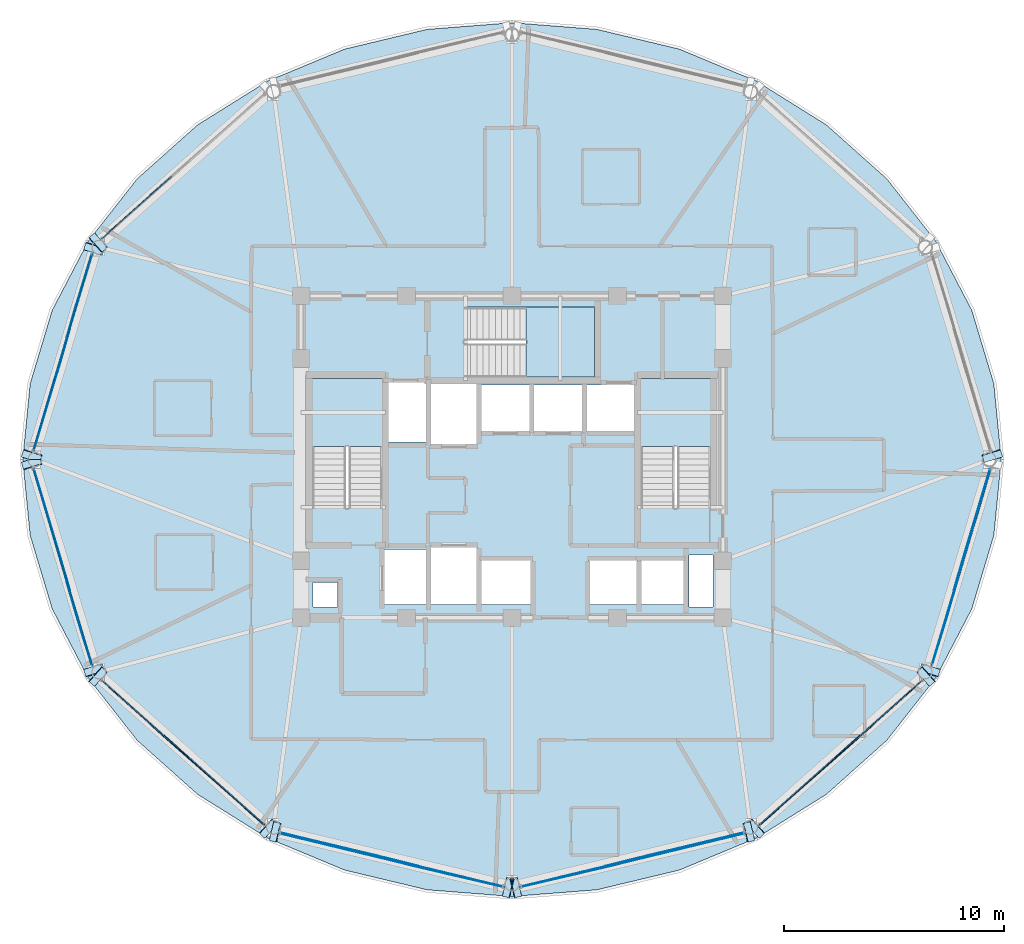
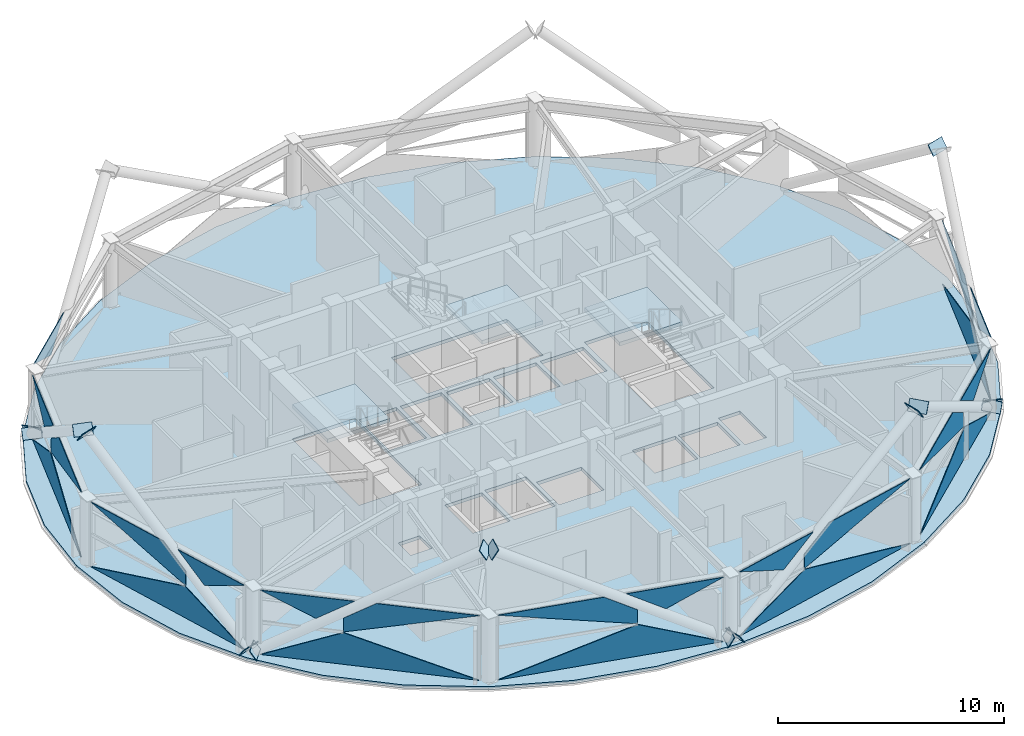
# One storey, part 20 of 29: 37 plates, 4 slabs, 11 elements without a shape of their own.
"""IFC4 building model written with IfcOpenShell, lengths in metres."""

from ifc_helpers import new_model, si_unit, direction, frame, origin, place, context, subcontext, project, spatial, polyline, outline, extrude, material, layer, layer_set, type_object, element, aggregate, save


model = new_model("IFC4")

# Units and contexts
model_context = context("Model", 3, precision=1e-05, world=origin(), true_north=direction((0.0, 1.0)))
body_context = subcontext(model_context, "Body", "Model", "MODEL_VIEW")
ifc_project = project(units=[si_unit("LENGTHUNIT", "METRE"), si_unit("AREAUNIT", "SQUARE_METRE"), si_unit("VOLUMEUNIT", "CUBIC_METRE"), si_unit("PLANEANGLEUNIT", "RADIAN"), si_unit("MASSUNIT", "GRAM", prefix="KILO")], contexts=[model_context])

# Site, building, storey
site_placement = place(None, origin())
site = spatial("IfcSite", under=ifc_project, at=site_placement, CompositionType="ELEMENT")
building_placement = place(site_placement, origin())
building = spatial("IfcBuilding", under=site, at=building_placement, Name="Vantalir Tower", CompositionType="ELEMENT")
storey_placement = place(building_placement, frame((0.0, 0.0, 234.89990234375)))
storey = spatial("IfcBuildingStorey", under=building, at=storey_placement, Name="L59", CompositionType="ELEMENT", Elevation=234.89990234375)

# Curtain wall, plate
ifc_material_1 = material(Name="Champagne-silver PVDF aluminium and double-silver Low-E glass", Category="aluminium")
ifc_layer_1 = layer(ifc_material_1, 0.2099609375)
ifc_layer_set_1 = layer_set([ifc_layer_1], Name="Champagne-silver PVDF aluminium and double-silver Low-E glass")
curtain_wall_type = type_object("IfcCurtainWallType", Name="CW-DIAMOND-Z3", PredefinedType="USERDEFINED", material=ifc_layer_set_1)
curtain_wall_1_placement = place(storey_placement, origin())
curtain_wall_1 = element("IfcCurtainWall", 1, at=curtain_wall_1_placement, inside=storey, type_object=curtain_wall_type, Name="L59 Quilted Pyramid-Diamond Curtain Wall S05", ObjectType="UNITISED CURTAIN WALL", PredefinedType="USERDEFINED")
ifc_material_2 = material(Name="Double-silver Low-E acoustic glass IGU", Category="glass")
ifc_layer_2 = layer(ifc_material_2, 0.031982421875)
ifc_layer_set_2 = layer_set([ifc_layer_2], Name="Double-silver Low-E acoustic glass IGU")
plate_type_1 = type_object("IfcPlateType", Name="CWP-IGU-32", PredefinedType="CURTAIN_PANEL", material=ifc_layer_set_2)
plate_1_placement = place(storey_placement, frame((15.9892578125, 37.89453125, 3.52392578125), z_axis=(-0.665239994323, 0.746503102219, 0.013742937474), x_axis=(-0.746574132311, -0.665302233316, -5.7517268e-05)))
plate_1 = element("IfcPlate", 2, at=plate_1_placement, type_object=plate_type_1, Name="CW-L59-S05 Pyramid Diamond Facet 2U Infill Light", PredefinedType="CURTAIN_PANEL", context=body_context, shape_type="SweptSolid", body=[
    extrude(outline(polyline([(0.0, 0.0), (4.2446492255091055, -6.1257422745431e-18), (1.731209510649857, -1.1540621498856483), (0.0, 0.0)])), origin(), (0.0, 0.0, -1.0), 0.031982421875),
])
aggregate(curtain_wall_1, [plate_1])

# Curtain wall, plates
curtain_wall_2_placement = place(storey_placement, origin())
curtain_wall_2 = element("IfcCurtainWall", 3, at=curtain_wall_2_placement, inside=storey, type_object=curtain_wall_type, Name="L59 Quilted Pyramid-Diamond Curtain Wall S06", ObjectType="UNITISED CURTAIN WALL", PredefinedType="USERDEFINED")
plate_2_placement = place(storey_placement, frame((12.404541015625, 34.354248046875, 0.047119140625), z_axis=(0.957558411208, -0.287910660697, 0.013760108324), x_axis=(-0.287937576685, -0.957649179632, -2.6131008e-05)))
plate_2 = element("IfcPlate", 4, at=plate_2_placement, type_object=plate_type_1, Name="CW-L59-S06 Pyramid Diamond Facet 1L", PredefinedType="CURTAIN_PANEL", context=body_context, shape_type="SweptSolid", body=[
    extrude(outline(polyline([(0.0, 0.0), (9.34294709931114, -6.451002926288751e-18), (3.5550584518500883, -1.7255980653286305), (0.0, 0.0)])), origin(), (0.0, 0.0, -1.0), 0.031982421875),
])
plate_3_placement = place(storey_placement, frame((10.97802734375, 29.609375, 3.523193359375), z_axis=(-0.957554424026, 0.287920028437, 0.013841324096), x_axis=(-0.287946878182, -0.957646381646, 5.5366691e-05)))
plate_3 = element("IfcPlate", 5, at=plate_3_placement, type_object=plate_type_1, Name="CW-L59-S06 Pyramid Diamond Facet 2U", PredefinedType="CURTAIN_PANEL", context=body_context, shape_type="SweptSolid", body=[
    extrude(outline(polyline([(0.0, 0.0), (4.388276431667521, 7.047314121155779e-19), (-1.3996624401921611, -1.7256737576179273), (-1.3996276972898871, -0.9829280015704106), (0.0, 0.0)])), origin(), (0.0, 0.0, -1.0), 0.031982421875),
])
plate_4_placement = place(storey_placement, frame((12.3701171875, 34.364501953125, 3.523681640625), z_axis=(-0.957558593198, 0.287908595826, 0.013790614263), x_axis=(-0.287935977109, -0.957649660933, 0.0)))
plate_4 = element("IfcPlate", 6, at=plate_4_placement, type_object=plate_type_1, Name="CW-L59-S06 Pyramid Diamond Facet 2U Infill Light", PredefinedType="CURTAIN_PANEL", context=body_context, shape_type="SweptSolid", body=[
    extrude(outline(polyline([(0.0, 0.0), (3.998691650339341, -1.734723475976807e-18), (2.3647139604493046, -1.1478142295678426), (0.0, 0.0)])), origin(), (0.0, 0.0, -1.0), 0.031982421875),
])
aggregate(curtain_wall_2, [plate_2, plate_3, plate_4])

curtain_wall_3_placement = place(storey_placement, origin())
curtain_wall_3 = element("IfcCurtainWall", 7, at=curtain_wall_3_placement, inside=storey, type_object=curtain_wall_type, Name="L59 Quilted Pyramid-Diamond Curtain Wall S07", ObjectType="UNITISED CURTAIN WALL", PredefinedType="USERDEFINED")
plate_5_placement = place(storey_placement, frame((9.71435546875, 24.593017578125, 0.046875), z_axis=(0.957566794422, 0.287881760589, 0.013781369324), x_axis=(0.28790875765, -0.957657844214, 2.6128393e-05)))
plate_5 = element("IfcPlate", 8, at=plate_5_placement, type_object=plate_type_1, Name="CW-L59-S07 Pyramid Diamond Facet 1L", PredefinedType="CURTAIN_PANEL", context=body_context, shape_type="SweptSolid", body=[
    extrude(outline(polyline([(0.0, 0.0), (9.343882307819088, -3.2526065174565133e-19), (5.788590764431299, -1.7255985674366), (0.0, 0.0)])), origin(), (0.0, 0.0, -1.0), 0.031982421875),
])
plate_6_placement = place(storey_placement, frame((9.71435546875, 24.593017578125, 3.5234375), z_axis=(-0.957564107176, -0.287887198817, 0.013854291935), x_axis=(0.28791409692, -0.957656237767, -5.5330134e-05)))
plate_6 = element("IfcPlate", 9, at=plate_6_placement, type_object=plate_type_1, Name="CW-L59-S07 Pyramid Diamond Facet 2U", PredefinedType="CURTAIN_PANEL", context=body_context, shape_type="SweptSolid", body=[
    extrude(outline(polyline([(0.0, 0.0), (4.388744031772563, -2.981555974335137e-19), (5.788605963725567, -0.9829283508902977), (5.788641028482042, -1.7256741057581002), (0.0, 0.0)])), origin(), (0.0, 0.0, -1.0), 0.031982421875),
])
plate_7_placement = place(storey_placement, frame((11.21875, 19.46435546875, 3.523681640625), z_axis=(-0.957568566433, -0.287874887442, 0.013801802801), x_axis=(0.287902309969, -0.957659782968, 0.0)))
plate_7 = element("IfcPlate", 10, at=plate_7_placement, type_object=plate_type_1, Name="CW-L59-S07 Pyramid Diamond Facet 2U Infill Light", PredefinedType="CURTAIN_PANEL", context=body_context, shape_type="SweptSolid", body=[
    extrude(outline(polyline([(0.0, 0.0), (3.999159255184188, 1.734723475976807e-18), (1.6342120490220076, -1.1478144067774931), (0.0, 0.0)])), origin(), (0.0, 0.0, -1.0), 0.031982421875),
])
aggregate(curtain_wall_3, [plate_5, plate_6, plate_7])

curtain_wall_4_placement = place(storey_placement, origin())
curtain_wall_4 = element("IfcCurtainWall", 11, at=curtain_wall_4_placement, inside=storey, type_object=curtain_wall_type, Name="L59 Quilted Pyramid-Diamond Curtain Wall S08", ObjectType="UNITISED CURTAIN WALL", PredefinedType="USERDEFINED")
plate_8_placement = place(storey_placement, frame((12.84423828125, 14.955322265625, 0.046875), z_axis=(0.665181228854, 0.746557439473, 0.013635334547), x_axis=(0.746627073708, -0.66524282198, -2.4684335e-05)))
plate_8 = element("IfcPlate", 12, at=plate_8_placement, type_object=plate_type_1, Name="CW-L59-S08 Pyramid Diamond Facet 1L", PredefinedType="CURTAIN_PANEL", context=body_context, shape_type="SweptSolid", body=[
    extrude(outline(polyline([(0.0, 0.0), (9.890508587771347, -1.043544591017298e-17), (3.759093242626655, -1.7260833355593155), (0.0, 0.0)])), origin(), (0.0, 0.0, -1.0), 0.031982421875),
])
plate_9_placement = place(storey_placement, frame((16.75341796875, 11.47216796875, 3.5234375), z_axis=(-0.665188121051, -0.746551848456, 0.013605189436), x_axis=(0.746620954679, -0.665249689992, 3.10994e-07)))
plate_9 = element("IfcPlate", 13, at=plate_9_placement, type_object=plate_type_1, Name="CW-L59-S08 Pyramid Diamond Facet 2U", PredefinedType="CURTAIN_PANEL", context=body_context, shape_type="SweptSolid", body=[
    extrude(outline(polyline([(0.0, 0.0), (4.654665797856678, 6.938893903907228e-18), (-1.4767072622088218, -1.726233530827656), (-1.4766380260901386, -0.9844642101590507), (0.0, 0.0)])), origin(), (0.0, 0.0, -1.0), 0.031982421875),
])
plate_10_placement = place(storey_placement, frame((12.8203125, 14.928466796875, 3.523681640625), z_axis=(-0.665208521724, -0.746532330403, 0.013678533909), x_axis=(0.746602701395, -0.665270172908, 5.7519469e-05)))
plate_10 = element("IfcPlate", 14, at=plate_10_placement, type_object=plate_type_1, Name="CW-L59-S08 Pyramid Diamond Facet 2U Infill Light", PredefinedType="CURTAIN_PANEL", context=body_context, shape_type="SweptSolid", body=[
    extrude(outline(polyline([(0.0, 0.0), (4.244486802119599, 1.4094628242311558e-18), (2.513276609448489, -1.154061126784391), (0.0, 0.0)])), origin(), (0.0, 0.0, -1.0), 0.031982421875),
])
aggregate(curtain_wall_4, [plate_8, plate_9, plate_10])

curtain_wall_5_placement = place(storey_placement, origin())
curtain_wall_5 = element("IfcCurtainWall", 15, at=curtain_wall_5_placement, inside=storey, type_object=curtain_wall_type, Name="L59 Quilted Pyramid-Diamond Curtain Wall S09", ObjectType="UNITISED CURTAIN WALL", PredefinedType="USERDEFINED")
plate_11_placement = place(storey_placement, frame((20.959228515625, 7.994384765625, 0.046630859375), z_axis=(0.23227086659, 0.972552131401, 0.013877904746), x_axis=(0.972645724011, -0.232293553536, 2.3447416e-05)))
plate_11 = element("IfcPlate", 16, at=plate_11_placement, type_object=plate_type_1, Name="CW-L59-S09 Pyramid Diamond Facet 1L", PredefinedType="CURTAIN_PANEL", context=body_context, shape_type="SweptSolid", body=[
    extrude(outline(polyline([(0.0, 0.0), (10.412261274836561, 3.848917712323541e-18), (6.450611114639487, -1.7263333603476525), (0.0, 0.0)])), origin(), (0.0, 0.0, -1.0), 0.031982421875),
])
plate_12_placement = place(storey_placement, frame((20.959228515625, 7.994384765625, 3.523681640625), z_axis=(-0.232291461717, -0.972548459607, 0.013790233126), x_axis=(0.972640787118, -0.232314219874, -4.9782946e-05)))
plate_12 = element("IfcPlate", 17, at=plate_12_placement, type_object=plate_type_1, Name="CW-L59-S09 Pyramid Diamond Facet 2U", PredefinedType="CURTAIN_PANEL", context=body_context, shape_type="SweptSolid", body=[
    extrude(outline(polyline([(0.0, 0.0), (4.908716553637387, -5.963111948670274e-19), (6.4506691493381725, -0.9802408287929192), (6.45065707952444, -1.726161598884455), (0.0, 0.0)])), origin(), (0.0, 0.0, -1.0), 0.031982421875),
])
plate_13_placement = place(storey_placement, frame((26.72216796875, 6.5810546875, 3.52392578125), z_axis=(-0.232250715399, -0.972556540945, 0.013906108766), x_axis=(0.972650413475, -0.232273912, -5.4511596e-05)))
plate_13 = element("IfcPlate", 18, at=plate_13_placement, type_object=plate_type_1, Name="CW-L59-S09 Pyramid Diamond Facet 2U Infill Light", PredefinedType="CURTAIN_PANEL", context=body_context, shape_type="SweptSolid", body=[
    extrude(outline(polyline([(0.0, 0.0), (4.478691533489863, -1.111307226797642e-18), (1.8214395537930843, -1.1579716661312722), (0.0, 0.0)])), origin(), (0.0, 0.0, -1.0), 0.031982421875),
])
aggregate(curtain_wall_5, [plate_11, plate_12, plate_13])

curtain_wall_6_placement = place(storey_placement, origin())
curtain_wall_6 = element("IfcCurtainWall", 19, at=curtain_wall_6_placement, inside=storey, type_object=curtain_wall_type, Name="L59 Quilted Pyramid-Diamond Curtain Wall S10", ObjectType="UNITISED CURTAIN WALL", PredefinedType="USERDEFINED")
plate_14_placement = place(storey_placement, frame((31.913330078125, 5.57568359375, 0.046875), z_axis=(-0.23227086659, 0.972552131401, 0.013877904746), x_axis=(0.972645724011, 0.232293553536, -2.3447416e-05)))
plate_14 = element("IfcPlate", 20, at=plate_14_placement, type_object=plate_type_1, Name="CW-L59-S10 Pyramid Diamond Facet 1L", PredefinedType="CURTAIN_PANEL", context=body_context, shape_type="SweptSolid", body=[
    extrude(outline(polyline([(0.0, 0.0), (10.412261274836561, -3.848917712323541e-18), (3.9616501601970775, -1.7263333603476525), (0.0, 0.0)])), origin(), (0.0, 0.0, -1.0), 0.031982421875),
])
plate_15_placement = place(storey_placement, frame((37.266357421875, 6.85400390625, 3.5234375), z_axis=(0.232291461717, -0.972548459607, 0.013790233126), x_axis=(0.972640787118, 0.232314219874, 4.9782946e-05)))
plate_15 = element("IfcPlate", 21, at=plate_15_placement, type_object=plate_type_1, Name="CW-L59-S10 Pyramid Diamond Facet 2U", PredefinedType="CURTAIN_PANEL", context=body_context, shape_type="SweptSolid", body=[
    extrude(outline(polyline([(0.0, 0.0), (4.908716553637387, 5.963111948670274e-19), (-1.5419405258870538, -1.726161598884455), (-1.5419525957007851, -0.9802408287929192), (0.0, 0.0)])), origin(), (0.0, 0.0, -1.0), 0.031982421875),
])
plate_16_placement = place(storey_placement, frame((31.921630859375, 5.540771484375, 3.523681640625), z_axis=(0.232250715399, -0.972556540945, 0.013906108766), x_axis=(0.972650413475, 0.232273912, 5.4511596e-05)))
plate_16 = element("IfcPlate", 22, at=plate_16_placement, type_object=plate_type_1, Name="CW-L59-S10 Pyramid Diamond Facet 2U Infill Light", PredefinedType="CURTAIN_PANEL", context=body_context, shape_type="SweptSolid", body=[
    extrude(outline(polyline([(0.0, 0.0), (4.478691533489863, 1.111307226797642e-18), (2.657251979696779, -1.1579716661312722), (0.0, 0.0)])), origin(), (0.0, 0.0, -1.0), 0.031982421875),
])
aggregate(curtain_wall_6, [plate_14, plate_15, plate_16])

curtain_wall_7_placement = place(storey_placement, origin())
curtain_wall_7 = element("IfcCurtainWall", 23, at=curtain_wall_7_placement, inside=storey, type_object=curtain_wall_type, Name="L59 Quilted Pyramid-Diamond Curtain Wall S11", ObjectType="UNITISED CURTAIN WALL", PredefinedType="USERDEFINED")
plate_17_placement = place(storey_placement, frame((42.771240234375, 8.375732421875, 0.046630859375), z_axis=(-0.665181228854, 0.746557439473, 0.013635334547), x_axis=(0.746627073708, 0.66524282198, 2.4684335e-05)))
plate_17 = element("IfcPlate", 24, at=plate_17_placement, type_object=plate_type_1, Name="CW-L59-S11 Pyramid Diamond Facet 1L", PredefinedType="CURTAIN_PANEL", context=body_context, shape_type="SweptSolid", body=[
    extrude(outline(polyline([(0.0, 0.0), (9.890508587771347, 1.043544591017298e-17), (6.131415345144693, -1.7260833355593155), (0.0, 0.0)])), origin(), (0.0, 0.0, -1.0), 0.031982421875),
])
plate_18_placement = place(storey_placement, frame((42.771240234375, 8.375732421875, 3.5234375), z_axis=(0.665188121051, -0.746551848456, 0.013605189436), x_axis=(0.746620954679, 0.665249689992, -3.10994e-07)))
plate_18 = element("IfcPlate", 25, at=plate_18_placement, type_object=plate_type_1, Name="CW-L59-S11 Pyramid Diamond Facet 2U", PredefinedType="CURTAIN_PANEL", context=body_context, shape_type="SweptSolid", body=[
    extrude(outline(polyline([(0.0, 0.0), (4.654665797856678, -6.938893903907228e-18), (6.131303823946817, -0.9844642101590507), (6.1313730600655, -1.726233530827656), (0.0, 0.0)])), origin(), (0.0, 0.0, -1.0), 0.031982421875),
])
plate_19_placement = place(storey_placement, frame((47.0107421875, 12.104736328125, 3.52392578125), z_axis=(0.665208521724, -0.746532330403, 0.013678533909), x_axis=(0.746602701395, 0.665270172908, -5.7519469e-05)))
plate_19 = element("IfcPlate", 26, at=plate_19_placement, type_object=plate_type_1, Name="CW-L59-S11 Pyramid Diamond Facet 2U Infill Light", PredefinedType="CURTAIN_PANEL", context=body_context, shape_type="SweptSolid", body=[
    extrude(outline(polyline([(0.0, 0.0), (4.244486802119599, -1.4094628242311558e-18), (1.7312101926711108, -1.1540611267843912), (0.0, 0.0)])), origin(), (0.0, 0.0, -1.0), 0.031982421875),
])
aggregate(curtain_wall_7, [plate_17, plate_18, plate_19])

curtain_wall_8_placement = place(storey_placement, origin())
curtain_wall_8 = element("IfcCurtainWall", 27, at=curtain_wall_8_placement, inside=storey, type_object=curtain_wall_type, Name="L59 Quilted Pyramid-Diamond Curtain Wall S12", ObjectType="UNITISED CURTAIN WALL", PredefinedType="USERDEFINED")
plate_20_placement = place(storey_placement, frame((50.595458984375, 15.644775390625, 0.047119140625), z_axis=(-0.957566794422, 0.287881760589, 0.013781369324), x_axis=(0.28790875765, 0.957657844214, -2.6128393e-05)))
plate_20 = element("IfcPlate", 28, at=plate_20_placement, type_object=plate_type_1, Name="CW-L59-S12 Pyramid Diamond Facet 1L", PredefinedType="CURTAIN_PANEL", context=body_context, shape_type="SweptSolid", body=[
    extrude(outline(polyline([(0.0, 0.0), (9.343882307819088, 3.2526065174565133e-19), (3.5552915433877907, -1.7255985674366001), (0.0, 0.0)])), origin(), (0.0, 0.0, -1.0), 0.031982421875),
])
plate_21_placement = place(storey_placement, frame((52.02197265625, 20.39013671875, 3.523193359375), z_axis=(0.957564107176, -0.287887198817, 0.013854291935), x_axis=(0.28791409692, 0.957656237767, 5.5330134e-05)))
plate_21 = element("IfcPlate", 29, at=plate_21_placement, type_object=plate_type_1, Name="CW-L59-S12 Pyramid Diamond Facet 2U", PredefinedType="CURTAIN_PANEL", context=body_context, shape_type="SweptSolid", body=[
    extrude(outline(polyline([(0.0, 0.0), (4.388744031772563, 2.981555974335137e-19), (-1.3998969967094788, -1.7256741057581004), (-1.3998619319530043, -0.9829283508902977), (0.0, 0.0)])), origin(), (0.0, 0.0, -1.0), 0.031982421875),
])
plate_22_placement = place(storey_placement, frame((50.6298828125, 15.634521484375, 3.523681640625), z_axis=(0.957568566433, -0.287874887442, 0.013801802801), x_axis=(0.287902309969, 0.957659782968, 0.0)))
plate_22 = element("IfcPlate", 30, at=plate_22_placement, type_object=plate_type_1, Name="CW-L59-S12 Pyramid Diamond Facet 2U Infill Light", PredefinedType="CURTAIN_PANEL", context=body_context, shape_type="SweptSolid", body=[
    extrude(outline(polyline([(0.0, 0.0), (3.999159255184188, -1.734723475976807e-18), (2.3649472061621806, -1.1478144067774931), (0.0, 0.0)])), origin(), (0.0, 0.0, -1.0), 0.031982421875),
])
aggregate(curtain_wall_8, [plate_20, plate_21, plate_22])

# Plates
ifc_material_3 = material(Name="Steel S460", Category="steel")
ifc_layer_3 = layer(ifc_material_3, 0.035888671875)
ifc_layer_set_3 = layer_set([ifc_layer_3], Name="Steel S460")
plate_type_2 = type_object("IfcPlateType", Name="PLT-KN-Z2", PredefinedType="USERDEFINED", material=ifc_layer_set_3)
plate_23_placement = place(storey_placement, frame((52.989501953125, 24.864013671875, 6.892333984375), z_axis=(0.23564497448, -0.783553592888, 0.574904525183), x_axis=(0.957627534861, 0.28800955561, 1.8796288e-05)))
element("IfcPlate", 31, at=plate_23_placement, inside=storey, type_object=plate_type_2, Name="Node Cap Plate MEM-DG-L59-R04R End", ObjectType="FLANGE_PLATE", PredefinedType="USERDEFINED", context=body_context, shape_type="SweptSolid", body=[
    extrude(outline(polyline([(0.0, 0.0), (0.8798160501778869, 2.7755575615628914e-17), (0.8799150290649385, 0.5800304879689937), (-0.00013481689782652014, 0.580070915880301), (0.0, 0.0)])), origin(), (0.0, 0.0, -1.0), 0.035888671875),
])
plate_24_placement = place(storey_placement, frame((12.00390625, 34.54931640625, -0.026123046875), z_axis=(-0.235621882188, -0.783590305696, 0.574863950386), x_axis=(0.957642842649, -0.287958653149, 0.0)))
element("IfcPlate", 32, at=plate_24_placement, inside=storey, type_object=plate_type_2, Name="Node Cap Plate MEM-DG-L59-R16L Start", ObjectType="FLANGE_PLATE", PredefinedType="USERDEFINED", context=body_context, shape_type="SweptSolid", body=[
    extrude(outline(polyline([(0.0, 0.0), (0.8800498473614676, -2.7755575615628914e-17), (0.8799775130944816, 0.5800304926170371), (-7.233426698608567e-05, 0.5800304926170371), (0.0, 0.0)])), origin(), (0.0, 0.0, -1.0), 0.035888671875),
])
plate_25_placement = place(storey_placement, frame((9.16796875, 25.117431640625, 6.892333984375), z_axis=(-0.23564497448, -0.783553592888, 0.574904525183), x_axis=(0.957627534861, -0.28800955561, -1.8796288e-05)))
element("IfcPlate", 33, at=plate_25_placement, inside=storey, type_object=plate_type_2, Name="Node Cap Plate MEM-DG-L59-R16L End", ObjectType="FLANGE_PLATE", PredefinedType="USERDEFINED", context=body_context, shape_type="SweptSolid", body=[
    extrude(outline(polyline([(0.0, 0.0), (0.8798160501778869, -2.7755575615628914e-17), (0.8799508670757133, 0.580070915880301), (-9.897888705165117e-05, 0.5800304879689937), (0.0, 0.0)])), origin(), (0.0, 0.0, -1.0), 0.035888671875),
])
plate_26_placement = place(storey_placement, frame((13.08154296875, 34.665771484375, -0.03466796875), z_axis=(0.621082817817, 0.553458415877, 0.55492334183), x_axis=(-0.665293215937, 0.746582170178, 0.0)))
element("IfcPlate", 34, at=plate_26_placement, inside=storey, type_object=plate_type_2, Name="Node Cap Plate MEM-DG-L59-R16R Start", ObjectType="FLANGE_PLATE", PredefinedType="USERDEFINED", context=body_context, shape_type="SweptSolid", body=[
    extrude(outline(polyline([(0.0, 0.0), (0.8799867558024528, 0.0), (0.8799613557135955, 0.5799026475163249), (-2.5400088857457925e-05, 0.5799026475163249), (0.0, 0.0)])), origin(), (0.0, 0.0, -1.0), 0.035888671875),
])
plate_27_placement = place(storey_placement, frame((12.49609375, 14.67626953125, -0.03466796875), z_axis=(0.621082817817, -0.553458415877, 0.55492334183), x_axis=(0.665293215937, 0.746582170178, 0.0)))
element("IfcPlate", 35, at=plate_27_placement, inside=storey, type_object=plate_type_2, Name="Node Cap Plate MEM-DG-L59-R22L Start", ObjectType="FLANGE_PLATE", PredefinedType="USERDEFINED", context=body_context, shape_type="SweptSolid", body=[
    extrude(outline(polyline([(0.0, 0.0), (0.8799867558024528, 0.0), (0.8800121558913103, 0.5799026475163249), (2.5400088857457925e-05, 0.5799026475163249), (0.0, 0.0)])), origin(), (0.0, 0.0, -1.0), 0.035888671875),
])
plate_28_placement = place(storey_placement, frame((20.254150390625, 7.763671875, 6.892333984375), z_axis=(0.621278875816, -0.55353027836, 0.554632120782), x_axis=(0.665203128292, 0.746662437985, 4.2578501e-05)))
element("IfcPlate", 36, at=plate_28_placement, inside=storey, type_object=plate_type_2, Name="Node Cap Plate MEM-DG-L59-R22L End", ObjectType="FLANGE_PLATE", PredefinedType="USERDEFINED", context=body_context, shape_type="SweptSolid", body=[
    extrude(outline(polyline([(0.0, 0.0), (0.8801690392333164, -2.7755575615628914e-17), (0.880071528279172, 0.5800156871896437), (8.477968012946266e-05, 0.5801057547112922), (0.0, 0.0)])), origin(), (0.0, 0.0, -1.0), 0.035888671875),
])
plate_29_placement = place(storey_placement, frame((12.8466796875, 15.702880859375, -0.026123046875), z_axis=(-0.23554507544, 0.783712385946, 0.574728991395), x_axis=(-0.957693713946, -0.287789413224, -6.2482339e-05)))
element("IfcPlate", 37, at=plate_29_placement, inside=storey, type_object=plate_type_2, Name="Node Cap Plate MEM-DG-L59-R22R Start", ObjectType="FLANGE_PLATE", PredefinedType="USERDEFINED", context=body_context, shape_type="SweptSolid", body=[
    extrude(outline(polyline([(0.0, 0.0), (0.8799795708143823, 0.0), (0.8799633250254447, 0.5800304890102882), (-8.650687615051911e-05, 0.5798961069156374), (0.0, 0.0)])), origin(), (0.0, 0.0, -1.0), 0.035888671875),
])
plate_30_placement = place(storey_placement, frame((10.010498046875, 25.1357421875, 6.892333984375), z_axis=(-0.235568166565, 0.783675688578, 0.574769566029), x_axis=(-0.957678429047, -0.287840276242, -4.371318e-05)))
element("IfcPlate", 38, at=plate_30_placement, inside=storey, type_object=plate_type_2, Name="Node Cap Plate MEM-DG-L59-R22R End", ObjectType="FLANGE_PLATE", PredefinedType="USERDEFINED", context=body_context, shape_type="SweptSolid", body=[
    extrude(outline(polyline([(0.0, 0.0), (0.8797457580821373, 2.7755575615628914e-17), (0.8797561292458529, 0.5800304931756721), (-0.00029371055144287, 0.579936487526554), (0.0, 0.0)])), origin(), (0.0, 0.0, -1.0), 0.035888671875),
])
plate_31_placement = place(storey_placement, frame((31.940673828125, 5.1298828125, -0.042236328125), z_axis=(0.820799205877, 0.195952348922, 0.536555067615), x_axis=(-0.232208086854, 0.972666132031, 0.0)))
element("IfcPlate", 39, at=plate_31_placement, inside=storey, type_object=plate_type_2, Name="Node Cap Plate MEM-DG-L59-R28L Start", ObjectType="FLANGE_PLATE", PredefinedType="USERDEFINED", context=body_context, shape_type="SweptSolid", body=[
    extrude(outline(polyline([(0.0, 0.0), (0.8800111395499287, 0.0), (0.8800181836460521, 0.5800711891025546), (7.0440961233847466e-06, 0.5800711891025546), (0.0, 0.0)])), origin(), (0.0, 0.0, -1.0), 0.035888671875),
])
plate_32_placement = place(storey_placement, frame((42.550048828125, 7.66357421875, 6.892333984375), z_axis=(0.820862900959, 0.196084620523, 0.536409283498), x_axis=(-0.232377070851, 0.972625772439, 6.1074625e-05)))
element("IfcPlate", 40, at=plate_32_placement, inside=storey, type_object=plate_type_2, Name="Node Cap Plate MEM-DG-L59-R28L End", ObjectType="FLANGE_PLATE", PredefinedType="USERDEFINED", context=body_context, shape_type="SweptSolid", body=[
    extrude(outline(polyline([(0.0, 0.0), (0.8800678573106301, 0.0), (0.8801021387477319, 0.579943801886197), (9.101412041512781e-05, 0.5800711733505308), (0.0, 0.0)])), origin(), (0.0, 0.0, -1.0), 0.035888671875),
])
plate_33_placement = place(storey_placement, frame((31.263671875, 5.98583984375, -0.042236328125), z_axis=(-0.820799205877, 0.195952348922, 0.536555067615), x_axis=(-0.232208086854, -0.972666132031, 0.0)))
element("IfcPlate", 41, at=plate_33_placement, inside=storey, type_object=plate_type_2, Name="Node Cap Plate MEM-DG-L59-R28R Start", ObjectType="FLANGE_PLATE", PredefinedType="USERDEFINED", context=body_context, shape_type="SweptSolid", body=[
    extrude(outline(polyline([(0.0, 0.0), (0.8800111395499287, 0.0), (0.8800040954538053, 0.5800711891025546), (-7.0440961233847466e-06, 0.5800711891025546), (0.0, 0.0)])), origin(), (0.0, 0.0, -1.0), 0.035888671875),
])
plate_34_placement = place(storey_placement, frame((20.654541015625, 8.51953125, 6.892333984375), z_axis=(-0.820862900959, 0.196084620523, 0.536409283498), x_axis=(-0.232377070851, -0.972625772439, -6.1074625e-05)))
element("IfcPlate", 42, at=plate_34_placement, inside=storey, type_object=plate_type_2, Name="Node Cap Plate MEM-DG-L59-R28R End", ObjectType="FLANGE_PLATE", PredefinedType="USERDEFINED", context=body_context, shape_type="SweptSolid", body=[
    extrude(outline(polyline([(0.0, 0.0), (0.8800678573106301, 0.0), (0.879976843190215, 0.5800711733505307), (-3.428143710181531e-05, 0.579943801886197), (0.0, 0.0)])), origin(), (0.0, 0.0, -1.0), 0.035888671875),
])
plate_35_placement = place(storey_placement, frame((50.99609375, 15.44970703125, -0.026123046875), z_axis=(0.23554507544, 0.783712385946, 0.574728991395), x_axis=(-0.957693713946, 0.287789413224, 6.2482339e-05)))
element("IfcPlate", 43, at=plate_35_placement, inside=storey, type_object=plate_type_2, Name="Node Cap Plate MEM-DG-L59-R34L Start", ObjectType="FLANGE_PLATE", PredefinedType="USERDEFINED", context=body_context, shape_type="SweptSolid", body=[
    extrude(outline(polyline([(0.0, 0.0), (0.8799795708143823, 0.0), (0.8800660776905328, 0.5798961069156374), (1.624578893758577e-05, 0.5800304890102882), (0.0, 0.0)])), origin(), (0.0, 0.0, -1.0), 0.035888671875),
])
plate_36_placement = place(storey_placement, frame((49.91845703125, 15.333251953125, -0.03466796875), z_axis=(-0.621082817817, -0.553458415877, 0.55492334183), x_axis=(0.665293215937, -0.746582170178, 0.0)))
element("IfcPlate", 44, at=plate_36_placement, inside=storey, type_object=plate_type_2, Name="Node Cap Plate MEM-DG-L59-R34R Start", ObjectType="FLANGE_PLATE", PredefinedType="USERDEFINED", context=body_context, shape_type="SweptSolid", body=[
    extrude(outline(polyline([(0.0, 0.0), (0.8799867558024528, 0.0), (0.8799613557135955, 0.5799026475163249), (-2.5400088857457925e-05, 0.5799026475163249), (0.0, 0.0)])), origin(), (0.0, 0.0, -1.0), 0.035888671875),
])
plate_37_placement = place(storey_placement, frame((42.160400390625, 8.4208984375, 6.892333984375), z_axis=(-0.621278875816, -0.55353027836, 0.554632120782), x_axis=(0.665203128292, -0.746662437985, -4.2578501e-05)))
element("IfcPlate", 45, at=plate_37_placement, inside=storey, type_object=plate_type_2, Name="Node Cap Plate MEM-DG-L59-R34R End", ObjectType="FLANGE_PLATE", PredefinedType="USERDEFINED", context=body_context, shape_type="SweptSolid", body=[
    extrude(outline(polyline([(0.0, 0.0), (0.8801690392333164, 2.7755575615628914e-17), (0.8800842595531868, 0.5801057547112922), (9.751095414417257e-05, 0.5800156871896437), (0.0, 0.0)])), origin(), (0.0, 0.0, -1.0), 0.035888671875),
])

# Stair, slab
ifc_material_4 = material(Name="Concrete C40/50", Category="concrete")
stair_type = type_object("IfcStairType", Name="STR-CORE-1450", PredefinedType="HALF_TURN_STAIR", material=ifc_material_4)
stair_1_placement = place(storey_placement, origin())
stair_1 = element("IfcStair", 46, at=stair_1_placement, inside=storey, type_object=stair_type, Name="L59 Core Exit Stair 1", PredefinedType="HALF_TURN_STAIR")
ifc_layer_4 = layer(ifc_material_4, 0.199951171875)
ifc_layer_set_4 = layer_set([ifc_layer_4], Name="Concrete C40/50")
slab_type_1 = type_object("IfcSlabType", Name="SL-LAND-200", PredefinedType="LANDING", material=ifc_layer_set_4)
slab_1_placement = place(storey_placement, frame((0.0, 0.0, 1.675048828125)))
slab_1 = element("IfcSlab", 47, at=slab_1_placement, type_object=slab_type_1, Name="ST1 landing 1", PredefinedType="LANDING", context=body_context, shape_type="SweptSolid", body=[
    extrude(outline(polyline([(25.60009765625, 25.590087890625), (25.60009765625, 28.699951171875), (22.39990234375, 28.699951171875), (22.39990234375, 25.590087890625), (25.60009765625, 25.590087890625)])), origin(), (0.0, 0.0, 1.0), 0.199951171875),
])
aggregate(stair_1, [slab_1])

stair_2_placement = place(storey_placement, origin())
stair_2 = element("IfcStair", 48, at=stair_2_placement, inside=storey, type_object=stair_type, Name="L59 Core Exit Stair 2", PredefinedType="HALF_TURN_STAIR")
slab_2_placement = place(storey_placement, frame((0.0, 0.0, 1.675048828125)))
slab_2 = element("IfcSlab", 49, at=slab_2_placement, type_object=slab_type_1, Name="ST2 landing 1", PredefinedType="LANDING", context=body_context, shape_type="SweptSolid", body=[
    extrude(outline(polyline([(40.550048828125, 25.590087890625), (40.550048828125, 28.699951171875), (37.35009765625, 28.699951171875), (37.35009765625, 25.590087890625), (40.550048828125, 25.590087890625)])), origin(), (0.0, 0.0, 1.0), 0.199951171875),
])
aggregate(stair_2, [slab_2])

stair_3_placement = place(storey_placement, origin())
stair_3 = element("IfcStair", 50, at=stair_3_placement, inside=storey, type_object=stair_type, Name="L59 Core Exit Stair 3", PredefinedType="HALF_TURN_STAIR")
slab_3_placement = place(storey_placement, frame((0.0, 0.0, 1.675048828125)))
slab_3 = element("IfcSlab", 51, at=slab_3_placement, type_object=slab_type_1, Name="ST3 landing 1", PredefinedType="LANDING", context=body_context, shape_type="SweptSolid", body=[
    extrude(outline(polyline([(32.139892578125, 28.75), (35.25, 28.75), (35.25, 31.949951171875), (32.139892578125, 31.949951171875), (32.139892578125, 28.75)])), origin(), (0.0, 0.0, 1.0), 0.199951171875),
])
aggregate(stair_3, [slab_3])

# Slab
ifc_layer_5 = layer(ifc_material_4, 0.179931640625)
ifc_layer_set_5 = layer_set([ifc_layer_5], Name="Concrete C40/50")
slab_type_2 = type_object("IfcSlabType", Name="SL-TWR-180", PredefinedType="FLOOR", material=ifc_layer_set_5)
slab_4_placement = place(storey_placement, frame((0.0, 0.0, -0.179931640625)))
element("IfcSlab", 52, at=slab_4_placement, inside=storey, type_object=slab_type_2, Name="L59 Primary Structural Slab", PredefinedType="FLOOR", context=body_context, shape_type="SweptSolid", body=[
    extrude(outline(polyline([(14.44189453125, 12.218994140625), (17.18603515625, 9.76904296875), (20.365966796875, 7.781005859375), (23.884033203125, 6.31591796875), (27.633056640625, 5.4189453125), (31.5, 5.116943359375), (35.366943359375, 5.4189453125), (39.115966796875, 6.31591796875), (42.634033203125, 7.781005859375), (45.81396484375, 9.76904296875), (48.55810546875, 12.218994140625), (50.784912109375, 15.05810546875), (52.425048828125, 18.199951171875), (53.429931640625, 21.547119140625), (53.76806640625, 25.0), (53.429931640625, 28.452880859375), (52.425048828125, 31.800048828125), (50.784912109375, 34.94091796875), (48.55810546875, 37.781005859375), (45.81396484375, 40.23095703125), (42.634033203125, 42.218994140625), (39.115966796875, 43.68408203125), (35.366943359375, 44.5810546875), (31.5, 44.883056640625), (27.633056640625, 44.5810546875), (23.884033203125, 43.68408203125), (20.365966796875, 42.218994140625), (17.18603515625, 40.23095703125), (14.44189453125, 37.781005859375), (12.215087890625, 34.94091796875), (10.574951171875, 31.800048828125), (9.570068359375, 28.452880859375), (9.23193359375, 25.0), (9.570068359375, 21.547119140625), (10.574951171875, 18.199951171875), (12.215087890625, 15.05810546875), (14.44189453125, 12.218994140625)]), holes=[polyline([(22.39990234375, 28.699951171875), (25.60009765625, 28.699951171875), (25.60009765625, 22.7900390625), (22.39990234375, 22.7900390625), (22.39990234375, 28.699951171875)]), polyline([(40.550048828125, 28.699951171875), (40.550048828125, 22.7900390625), (37.35009765625, 22.7900390625), (37.35009765625, 28.699951171875), (40.550048828125, 28.699951171875)]), polyline([(29.340087890625, 28.75), (29.340087890625, 31.949951171875), (35.25, 31.949951171875), (35.25, 28.75), (29.340087890625, 28.75)]), polyline([(25.699951171875, 18.39990234375), (25.699951171875, 20.89990234375), (27.60009765625, 20.89990234375), (27.60009765625, 18.39990234375), (25.699951171875, 18.39990234375)]), polyline([(25.699951171875, 28.5), (27.60009765625, 28.5), (27.60009765625, 25.800048828125), (25.699951171875, 25.800048828125), (25.699951171875, 28.5)]), polyline([(29.89990234375, 21.0), (29.89990234375, 18.39990234375), (27.800048828125, 18.39990234375), (27.800048828125, 21.0), (29.89990234375, 21.0)]), polyline([(29.89990234375, 25.699951171875), (27.800048828125, 25.699951171875), (27.800048828125, 28.5), (29.89990234375, 28.5), (29.89990234375, 25.699951171875)]), polyline([(30.10009765625, 18.39990234375), (30.10009765625, 20.39990234375), (32.39990234375, 20.39990234375), (32.39990234375, 18.39990234375), (30.10009765625, 18.39990234375)]), polyline([(37.35009765625, 20.39990234375), (39.35009765625, 20.39990234375), (39.35009765625, 18.39990234375), (37.35009765625, 18.39990234375), (37.35009765625, 20.39990234375)]), polyline([(37.199951171875, 20.39990234375), (37.199951171875, 18.39990234375), (35.0, 18.39990234375), (35.0, 20.39990234375), (37.199951171875, 20.39990234375)]), polyline([(32.300048828125, 26.300048828125), (30.10009765625, 26.300048828125), (30.10009765625, 28.39990234375), (32.300048828125, 28.39990234375), (32.300048828125, 26.300048828125)]), polyline([(32.5, 26.300048828125), (32.5, 28.39990234375), (34.699951171875, 28.39990234375), (34.699951171875, 26.300048828125), (32.5, 26.300048828125)]), polyline([(34.89990234375, 28.39990234375), (37.10009765625, 28.39990234375), (37.10009765625, 26.300048828125), (34.89990234375, 26.300048828125), (34.89990234375, 28.39990234375)]), polyline([(23.550048828125, 19.39990234375), (23.550048828125, 18.300048828125), (22.449951171875, 18.300048828125), (22.449951171875, 19.39990234375), (23.550048828125, 19.39990234375)]), polyline([(40.64990234375, 18.300048828125), (39.550048828125, 18.300048828125), (39.550048828125, 20.64990234375), (40.64990234375, 20.64990234375), (40.64990234375, 18.300048828125)])]), origin(), (0.0, 0.0, 1.0), 0.179931640625),
])

save(model, "model.ifc")
